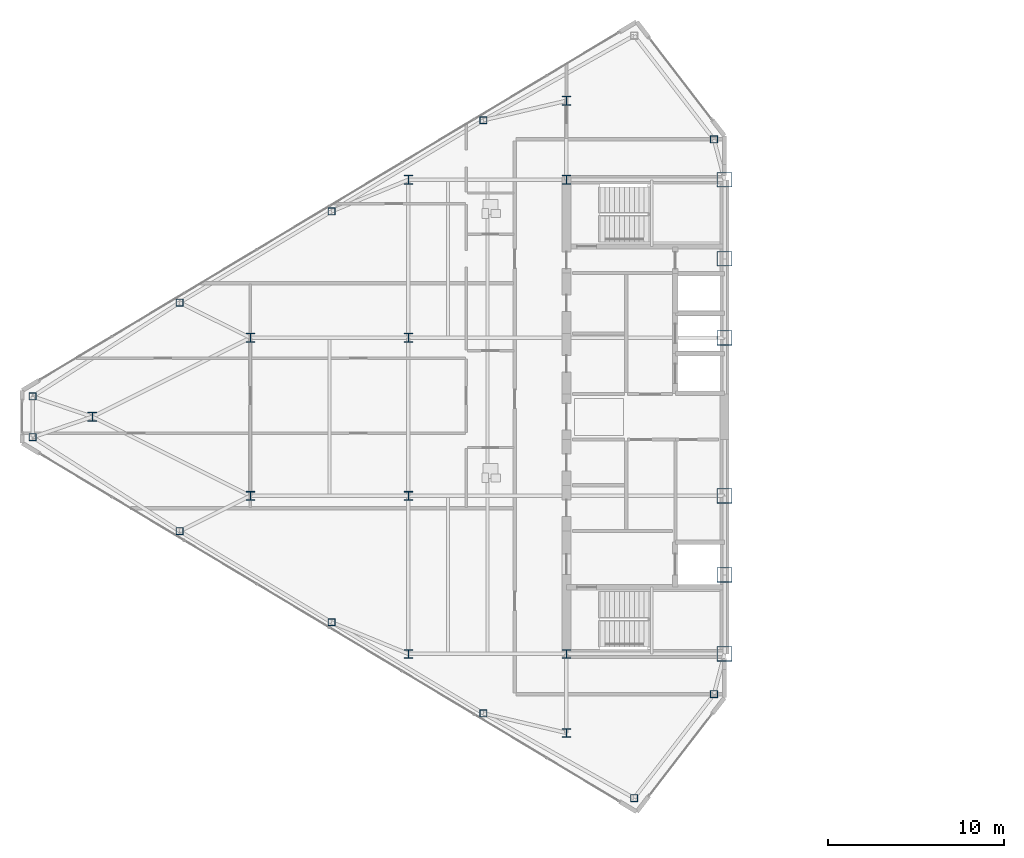
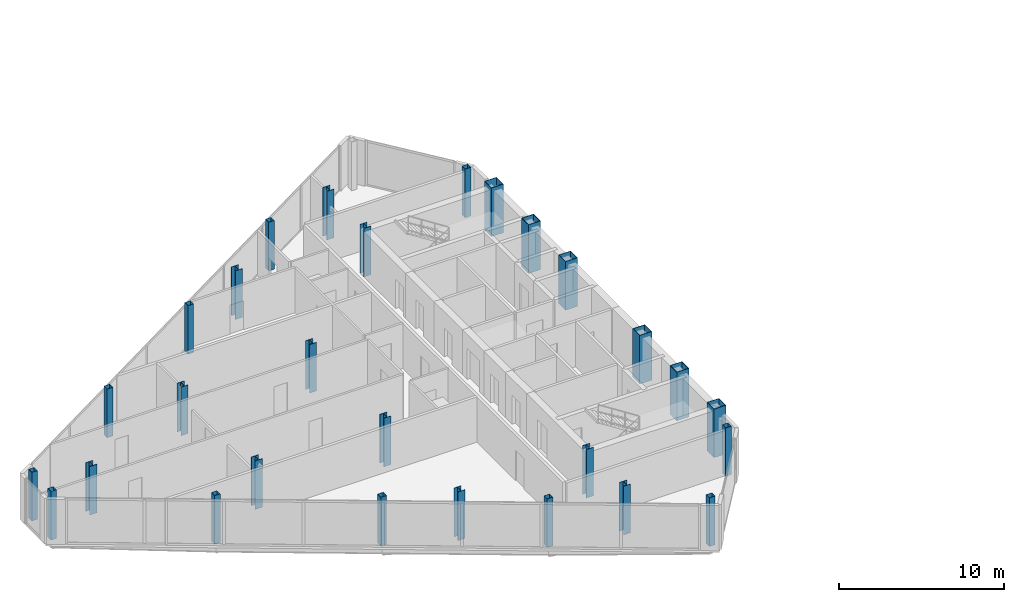
# One storey, part 1 of 26: 28 columns.
"""IFC4 building model written with IfcOpenShell, lengths in metres."""

from ifc_helpers import new_model, si_unit, direction, frame, origin, origin_2d, place, context, subcontext, project, spatial, hollow_rectangle, i_section, extrude, source, transform, mapped, material, material_profile, profile_set, type_object, type_shapes, element, save


model = new_model("IFC4")

# Units and contexts
model_context = context("Model", 3, precision=1e-05, world=origin(), true_north=direction((0.0, 1.0)))
body_context = subcontext(model_context, "Body", "Model", "MODEL_VIEW")
ifc_project = project(units=[si_unit("LENGTHUNIT", "METRE"), si_unit("AREAUNIT", "SQUARE_METRE"), si_unit("VOLUMEUNIT", "CUBIC_METRE"), si_unit("PLANEANGLEUNIT", "RADIAN"), si_unit("MASSUNIT", "GRAM", prefix="KILO")], contexts=[model_context])

# Site, building, storey
site_placement = place(None, origin())
site = spatial("IfcSite", under=ifc_project, at=site_placement, CompositionType="ELEMENT")
building_placement = place(site_placement, origin())
building = spatial("IfcBuilding", under=site, at=building_placement, Name="Seokmaru Belvedere", CompositionType="ELEMENT")
storey_placement = place(building_placement, frame((0.0, 0.0, 221.10009765625)))
storey = spatial("IfcBuildingStorey", under=building, at=storey_placement, Name="L59", CompositionType="ELEMENT", Elevation=221.10009765625)

# Columns
ifc_material_1 = material(Name="Steel HSA650 (650 MPa)", Category="steel")
ifc_material_profile_1 = material_profile(ifc_material_1, hollow_rectangle(XDim=0.85009765625, YDim=0.85009765625, WallThickness=0.035888671875, at=origin_2d()), Name="BOX-850x850x36")
ifc_profile_set_1 = profile_set([ifc_material_profile_1], Name="Steel HSA650 (650 MPa)")
column_type_1 = type_object("IfcColumnType", Name="Portal Spine Column BOX-850", PredefinedType="COLUMN", material=ifc_profile_set_1)
shared_shape_1 = source(origin(), body_context, "Body", "SweptSolid", [
    extrude(hollow_rectangle(XDim=0.85009765625, YDim=0.85009765625, WallThickness=0.035888671875, at=origin_2d()), origin(), (0.0, 0.0, 1.0), 3.599853515625),
])
type_shapes(column_type_1, [shared_shape_1])
for number, where, z_axis, x_axis, name in (
    (1, (-27.5, -13.5, 0.0), (0.0, 0.0, 1.0), (1.0, 0.0, 0.0), "L59 Column WS1"),
    (2, (-27.5, -9.0, 0.0), (0.0, 0.0, 1.0), (1.0, 0.0, 0.0), "L59 Column WS2"),
    (3, (-27.5, -4.5, 0.0), (0.0, 0.0, 1.0), (1.0, 0.0, 0.0), "L59 Column WS3"),
    (4, (-27.5, 4.5, 0.0), (0.0, 0.0, 1.0), (1.0, 0.0, 0.0), "L59 Column WS4"),
    (5, (-27.5, 9.0, 0.0), (0.0, 0.0, 1.0), (1.0, 0.0, 0.0), "L59 Column WS5"),
    (6, (-27.5, 13.5, 0.0), (0.0, 0.0, 1.0), (1.0, 0.0, 0.0), "L59 Column WS6"),
):
    element("IfcColumn", number, at=place(storey_placement, frame(where, z_axis=z_axis, x_axis=x_axis)), inside=storey, type_object=column_type_1, Name=name, PredefinedType="COLUMN", context=body_context, shape_type="MappedRepresentation", body=[
        mapped(shared_shape_1, transform((0.0, 0.0, 0.0), scale=1.0)),
    ])
ifc_material_2 = material(Name="Steel SM355 (355 MPa)", Category="steel")
ifc_material_profile_2 = material_profile(ifc_material_2, i_section(OverallWidth=0.5, OverallDepth=0.5, WebThickness=0.02001953125, FlangeThickness=0.031982421875, at=origin_2d()), Name="H-500x500x20x32")
ifc_profile_set_2 = profile_set([ifc_material_profile_2], Name="Steel SM355 (355 MPa)")
column_type_2 = type_object("IfcColumnType", Name="High-Rise Interior Column H-500", PredefinedType="COLUMN", material=ifc_profile_set_2)
shared_shape_2 = source(origin(), body_context, "Body", "SweptSolid", [
    extrude(i_section(OverallWidth=0.5, OverallDepth=0.5, WebThickness=0.02001953125, FlangeThickness=0.031982421875, at=origin_2d()), origin(), (0.0, 0.0, 1.0), 3.599853515625),
])
type_shapes(column_type_2, [shared_shape_2])
for number, where, z_axis, x_axis, name in (
    (7, (-36.5, -18.0, 0.0), (0.0, 0.0, 1.0), (1.0, 0.0, 0.0), "L59 Column WC1"),
    (8, (-36.5, -13.5, 0.0), (0.0, 0.0, 1.0), (1.0, 0.0, 0.0), "L59 Column WC2"),
    (9, (-36.5, 13.5, 0.0), (0.0, 0.0, 1.0), (1.0, 0.0, 0.0), "L59 Column WC3"),
    (10, (-36.5, 18.0, 0.0), (0.0, 0.0, 1.0), (1.0, 0.0, 0.0), "L59 Column WC4"),
    (11, (-45.5, -13.5, 0.0), (0.0, 0.0, 1.0), (1.0, 0.0, 0.0), "L59 Column WG5_1"),
    (12, (-45.5, -4.5, 0.0), (0.0, 0.0, 1.0), (1.0, 0.0, 0.0), "L59 Column WG5_2"),
    (13, (-45.5, 4.5, 0.0), (0.0, 0.0, 1.0), (1.0, 0.0, 0.0), "L59 Column WG5_3"),
    (14, (-45.5, 13.5, 0.0), (0.0, 0.0, 1.0), (1.0, 0.0, 0.0), "L59 Column WG5_4"),
    (15, (-54.5, -4.5, 0.0), (0.0, 0.0, 1.0), (1.0, 0.0, 0.0), "L59 Column WG4P_1"),
    (16, (-54.5, 4.5, 0.0), (0.0, 0.0, 1.0), (1.0, 0.0, 0.0), "L59 Column WG4P_2"),
    (17, (-63.5, 0.0, 0.0), (0.0, 0.0, 1.0), (1.0, 0.0, 0.0), "L59 Column WG3P_1"),
):
    element("IfcColumn", number, at=place(storey_placement, frame(where, z_axis=z_axis, x_axis=x_axis)), inside=storey, type_object=column_type_2, Name=name, PredefinedType="COLUMN", context=body_context, shape_type="MappedRepresentation", body=[
        mapped(shared_shape_2, transform((0.0, 0.0, 0.0), scale=1.0)),
    ])
ifc_material_profile_3 = material_profile(ifc_material_2, hollow_rectangle(XDim=0.39990234375, YDim=0.39990234375, WallThickness=0.01611328125, at=origin_2d()), Name="HSS-400x400x16")
ifc_profile_set_3 = profile_set([ifc_material_profile_3], Name="Steel SM355 (355 MPa)")
column_type_3 = type_object("IfcColumnType", Name="Perimeter Facet Column HSS-400", PredefinedType="COLUMN", material=ifc_profile_set_3)
shared_shape_3 = source(origin(), body_context, "Body", "SweptSolid", [
    extrude(hollow_rectangle(XDim=0.39990234375, YDim=0.39990234375, WallThickness=0.01611328125, at=origin_2d()), origin(), (0.0, 0.0, 1.0), 3.599853515625),
])
type_shapes(column_type_3, [shared_shape_3])
for number, where, z_axis, x_axis, name in (
    (18, (-28.10009765625, -15.7958984375, 0.0), (0.0, 0.0, 1.0), (1.0, 0.0, 0.0), "L59 Column WF1"),
    (19, (-28.10009765625, 15.7958984375, 0.0), (0.0, 0.0, 1.0), (1.0, 0.0, 0.0), "L59 Column WF2"),
    (20, (-66.89990234375, 1.160400390625, 0.0), (0.0, 0.0, 1.0), (1.0, 0.0, 0.0), "L59 Column WF4"),
    (21, (-66.89990234375, -1.160400390625, 0.0), (0.0, 0.0, 1.0), (1.0, 0.0, 0.0), "L59 Column WF5"),
    (22, (-32.649658203125, -21.71044921875, 0.0), (0.0, 0.0, 1.0), (1.0, 0.0, 0.0), "L59 Column WF6"),
    (23, (-41.229736328125, -16.888916015625, 0.0), (0.0, 0.0, 1.0), (1.0, 0.0, 0.0), "L59 Column WFLK_S1"),
    (24, (-49.8798828125, -11.698974609375, 0.0), (0.0, 0.0, 1.0), (1.0, 0.0, 0.0), "L59 Column WFLK_S2"),
    (25, (-58.530029296875, -6.5087890625, 0.0), (0.0, 0.0, 1.0), (1.0, 0.0, 0.0), "L59 Column WFLK_S3"),
    (26, (-41.229736328125, 16.888916015625, 0.0), (0.0, 0.0, 1.0), (1.0, 0.0, 0.0), "L59 Column WFLK_N1"),
    (27, (-49.8798828125, 11.698974609375, 0.0), (0.0, 0.0, 1.0), (1.0, 0.0, 0.0), "L59 Column WFLK_N2"),
    (28, (-58.530029296875, 6.5087890625, 0.0), (0.0, 0.0, 1.0), (1.0, 0.0, 0.0), "L59 Column WFLK_N3"),
):
    element("IfcColumn", number, at=place(storey_placement, frame(where, z_axis=z_axis, x_axis=x_axis)), inside=storey, type_object=column_type_3, Name=name, PredefinedType="COLUMN", context=body_context, shape_type="MappedRepresentation", body=[
        mapped(shared_shape_3, transform((0.0, 0.0, 0.0), scale=1.0)),
    ])

save(model, "model.ifc")
